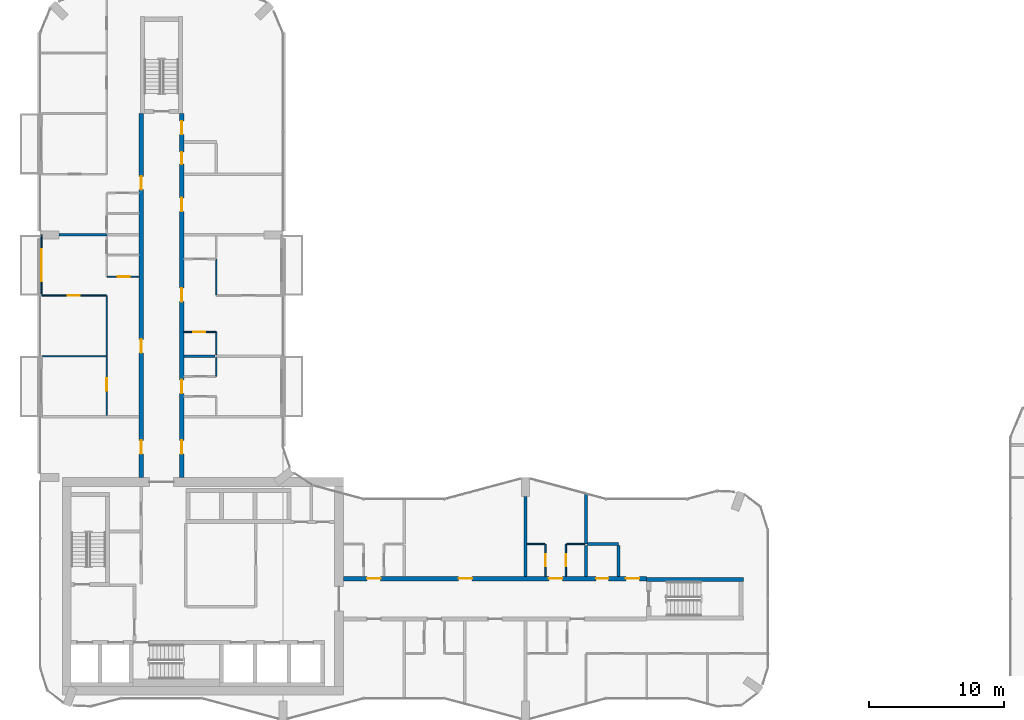
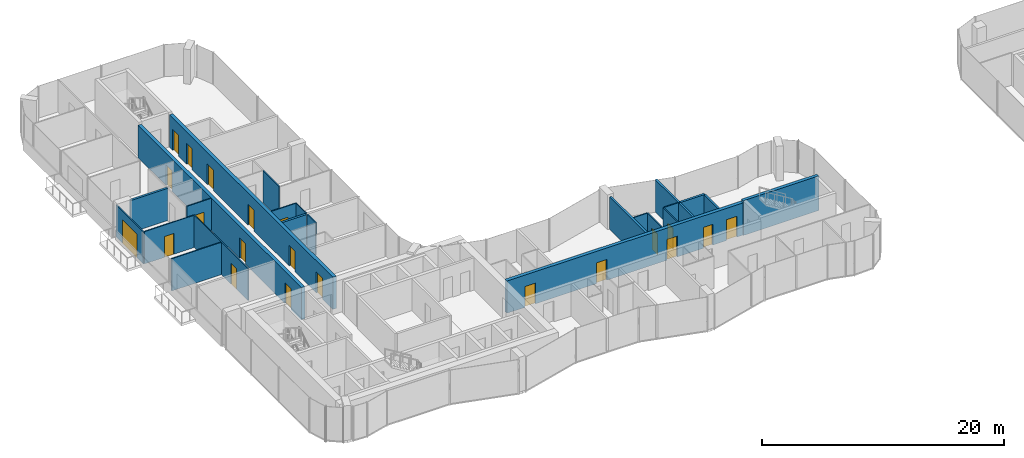
# One storey, part 15 of 22: 24 walls, 21 doors, 21 openings.
"""IFC4 building model written with IfcOpenShell, lengths in metres."""

from ifc_helpers import new_model, si_unit, direction, frame, frame_2d, origin, place, context, subcontext, project, spatial, rectangle, extrude, material, layer, layer_set, type_object, element, fill, save


model = new_model("IFC4")

# Units and contexts
model_context = context("Model", 3, precision=1e-05, world=origin(), true_north=direction((0.0, 1.0)))
body_context = subcontext(model_context, "Body", "Model", "MODEL_VIEW")
ifc_project = project(units=[si_unit("LENGTHUNIT", "METRE"), si_unit("AREAUNIT", "SQUARE_METRE"), si_unit("VOLUMEUNIT", "CUBIC_METRE"), si_unit("PLANEANGLEUNIT", "RADIAN"), si_unit("MASSUNIT", "GRAM", prefix="KILO")], contexts=[model_context])

# Site, building, storey
site_placement = place(None, origin())
site = spatial("IfcSite", under=ifc_project, at=site_placement, CompositionType="ELEMENT")
building_placement = place(site_placement, origin())
building = spatial("IfcBuilding", under=site, at=building_placement, Name="Plateau Cross Towers", CompositionType="ELEMENT")
storey_placement = place(building_placement, frame((0.0, 0.0, 116.800048828125)))
storey = spatial("IfcBuildingStorey", under=building, at=storey_placement, Name="L30", CompositionType="ELEMENT", Elevation=116.800048828125)

# Wall, opening, door
ifc_material_1 = material(Name="Aluminium framed glazing", Category="aluminium")
ifc_layer_1 = layer(ifc_material_1, 0.10009765625)
ifc_layer_set_1 = layer_set([ifc_layer_1], Name="Aluminium framed glazing")
wall_type_1 = type_object("IfcWallType", Name="Balcony screen wall 100", PredefinedType="STANDARD", material=ifc_layer_set_1)
wall_1_placement = place(storey_placement, frame((0.10009765625, 31.5, 0.0), z_axis=(0.0, 0.0, 1.0), x_axis=(0.0, 1.0, 0.0)))
wall_1 = element("IfcWall", 1, at=wall_1_placement, inside=storey, type_object=wall_type_1, Name="Balcony screen wall A-BAL-L30-02", PredefinedType="STANDARD", context=body_context, shape_type="SweptSolid", body=[
    extrude(rectangle(XDim=4.5, YDim=0.10009765625, at=frame_2d((2.25, 0.0))), origin(), (0.0, 0.0, 1.0), 3.25),
])
opening_1_placement = place(wall_1_placement, frame((1.050048828125, 0.0, 0.0)))
opening_1 = element("IfcOpeningElement", 2, at=opening_1_placement, cuts=wall_1, Name="Opening D-B24", PredefinedType="OPENING", context=body_context, shape_type="SweptSolid", body=[
    extrude(rectangle(XDim=2.39990234375, YDim=2.39990234375, at=frame_2d((1.199951171875, 1.199951171875))), frame((0.0, 0.06005859375, 0.0), z_axis=(0.0, -1.0, 0.0), x_axis=(1.0, 0.0, 0.0)), (0.0, 0.0, 1.0), 0.1201171875),
])
ifc_material_2 = material(Name="Aluminium frame, double glazing", Category="aluminium")
door_type_1 = type_object("IfcDoorType", Name="Balcony sliding door 2400", OperationType="NOTDEFINED", PredefinedType="DOOR", material=ifc_material_2)
door_1_placement = place(opening_1_placement, origin())
door_1 = element("IfcDoor", 3, at=door_1_placement, inside=storey, type_object=door_type_1, Name="Balcony door A-BAL-L30-02", OperationType="SINGLE_SWING_LEFT", OverallHeight=2.39990234375, OverallWidth=2.39990234375, PredefinedType="DOOR", context=body_context, shape_type="SweptSolid", body=[
    extrude(rectangle(XDim=2.39990234375, YDim=2.39990234375, at=frame_2d((1.199951171875, 1.199951171875))), frame((0.0, 0.02490234375, 0.0), z_axis=(0.0, -1.0, 0.0), x_axis=(1.0, 0.0, 0.0)), (0.0, 0.0, 1.0), 0.050048828125),
])
fill(opening_1, door_1)

# Wall, openings, doors
ifc_material_3 = material(Name="Concrete C60/75", Category="concrete")
ifc_layer_2 = layer(ifc_material_3, 0.324951171875)
ifc_layer_set_2 = layer_set([ifc_layer_2], Name="Concrete C60/75")
wall_type_2 = type_object("IfcWallType", Name="Corridor wall 325", PredefinedType="SHEAR", material=ifc_layer_set_2)
wall_2_placement = place(storey_placement, frame((22.5, 10.5, 0.0), z_axis=(0.0, 0.0, 1.0), x_axis=(1.0, 0.0, 0.0)))
wall_2 = element("IfcWall", 4, at=wall_2_placement, inside=storey, type_object=wall_type_2, Name="A-cw-S2@L30", PredefinedType="SHEAR", context=body_context, shape_type="SweptSolid", body=[
    extrude(rectangle(XDim=22.5, YDim=0.324951171875, at=frame_2d((11.25, 0.0))), origin(), (0.0, 0.0, 1.0), 3.25),
])
opening_2_placement = place(wall_2_placement, frame((1.75, 0.0, 0.0)))
opening_2 = element("IfcOpeningElement", 5, at=opening_2_placement, cuts=wall_2, Name="Opening 30-05", PredefinedType="OPENING", context=body_context, shape_type="SweptSolid", body=[
    extrude(rectangle(XDim=1.0, YDim=2.10009765625, at=frame_2d((0.5, 1.050048828125))), frame((0.0, 0.17236328125, 0.0), z_axis=(0.0, -1.0, 0.0), x_axis=(1.0, 0.0, 0.0)), (0.0, 0.0, 1.0), 0.344970703125),
])
opening_3_placement = place(wall_2_placement, frame((8.550048828125, 0.0, 0.0)))
opening_3 = element("IfcOpeningElement", 6, at=opening_3_placement, cuts=wall_2, Name="Opening 30-06", PredefinedType="OPENING", context=body_context, shape_type="SweptSolid", body=[
    extrude(rectangle(XDim=1.0, YDim=2.10009765625, at=frame_2d((0.5, 1.050048828125))), frame((0.0, 0.17236328125, 0.0), z_axis=(0.0, -1.0, 0.0), x_axis=(1.0, 0.0, 0.0)), (0.0, 0.0, 1.0), 0.344970703125),
])
opening_4_placement = place(wall_2_placement, frame((15.25, 0.0, 0.0)))
opening_4 = element("IfcOpeningElement", 7, at=opening_4_placement, cuts=wall_2, Name="Opening 30-07", PredefinedType="OPENING", context=body_context, shape_type="SweptSolid", body=[
    extrude(rectangle(XDim=1.0, YDim=2.10009765625, at=frame_2d((0.5, 1.050048828125))), frame((0.0, 0.17236328125, 0.0), z_axis=(0.0, -1.0, 0.0), x_axis=(1.0, 0.0, 0.0)), (0.0, 0.0, 1.0), 0.344970703125),
])
opening_5_placement = place(wall_2_placement, frame((18.75, 0.0, 0.0)))
opening_5 = element("IfcOpeningElement", 8, at=opening_5_placement, cuts=wall_2, Name="Opening 30-08", PredefinedType="OPENING", context=body_context, shape_type="SweptSolid", body=[
    extrude(rectangle(XDim=0.89990234375, YDim=2.10009765625, at=frame_2d((0.449951171875, 1.050048828125))), frame((0.0, 0.17236328125, 0.0), z_axis=(0.0, -1.0, 0.0), x_axis=(1.0, 0.0, 0.0)), (0.0, 0.0, 1.0), 0.344970703125),
])
opening_6_placement = place(wall_2_placement, frame((20.949951171875, 0.0, 0.0)))
opening_6 = element("IfcOpeningElement", 9, at=opening_6_placement, cuts=wall_2, Name="Opening 30-09", PredefinedType="OPENING", context=body_context, shape_type="SweptSolid", body=[
    extrude(rectangle(XDim=1.0, YDim=2.10009765625, at=frame_2d((0.5, 1.050048828125))), frame((0.0, 0.17236328125, 0.0), z_axis=(0.0, -1.0, 0.0), x_axis=(1.0, 0.0, 0.0)), (0.0, 0.0, 1.0), 0.344970703125),
])
ifc_material_4 = material(Name="Timber, fire-resisting leaf", Category="wood")
door_type_2 = type_object("IfcDoorType", Name="Flat entrance door 1000", OperationType="NOTDEFINED", PredefinedType="DOOR", material=ifc_material_4)
door_2_placement = place(opening_2_placement, origin())
door_2 = element("IfcDoor", 10, at=door_2_placement, inside=storey, type_object=door_type_2, Name="Door 30-05", OperationType="SINGLE_SWING_LEFT", OverallHeight=2.10009765625, OverallWidth=1.0, PredefinedType="DOOR", context=body_context, shape_type="SweptSolid", body=[
    extrude(rectangle(XDim=1.0, YDim=2.10009765625, at=frame_2d((0.5, 1.050048828125))), frame((0.0, 0.02490234375, 0.0), z_axis=(0.0, -1.0, 0.0), x_axis=(1.0, 0.0, 0.0)), (0.0, 0.0, 1.0), 0.050048828125),
])
fill(opening_2, door_2)
door_3_placement = place(opening_3_placement, origin())
door_3 = element("IfcDoor", 11, at=door_3_placement, inside=storey, type_object=door_type_2, Name="Door 30-06", OperationType="SINGLE_SWING_LEFT", OverallHeight=2.10009765625, OverallWidth=1.0, PredefinedType="DOOR", context=body_context, shape_type="SweptSolid", body=[
    extrude(rectangle(XDim=1.0, YDim=2.10009765625, at=frame_2d((0.5, 1.050048828125))), frame((0.0, 0.02490234375, 0.0), z_axis=(0.0, -1.0, 0.0), x_axis=(1.0, 0.0, 0.0)), (0.0, 0.0, 1.0), 0.050048828125),
])
fill(opening_3, door_3)
door_4_placement = place(opening_4_placement, origin())
door_4 = element("IfcDoor", 12, at=door_4_placement, inside=storey, type_object=door_type_2, Name="Door 30-07", OperationType="SINGLE_SWING_RIGHT", OverallHeight=2.10009765625, OverallWidth=1.0, PredefinedType="DOOR", context=body_context, shape_type="SweptSolid", body=[
    extrude(rectangle(XDim=1.0, YDim=2.10009765625, at=frame_2d((0.5, 1.050048828125))), frame((0.0, 0.02490234375, 0.0), z_axis=(0.0, -1.0, 0.0), x_axis=(1.0, 0.0, 0.0)), (0.0, 0.0, 1.0), 0.050048828125),
])
fill(opening_4, door_4)
door_5_placement = place(opening_6_placement, origin())
door_5 = element("IfcDoor", 13, at=door_5_placement, inside=storey, type_object=door_type_2, Name="Door 30-09", OperationType="SINGLE_SWING_RIGHT", OverallHeight=2.10009765625, OverallWidth=1.0, PredefinedType="DOOR", context=body_context, shape_type="SweptSolid", body=[
    extrude(rectangle(XDim=1.0, YDim=2.10009765625, at=frame_2d((0.5, 1.050048828125))), frame((0.0, 0.02490234375, 0.0), z_axis=(0.0, -1.0, 0.0), x_axis=(1.0, 0.0, 0.0)), (0.0, 0.0, 1.0), 0.050048828125),
])
fill(opening_6, door_5)
door_type_3 = type_object("IfcDoorType", Name="Flat floor service door 900", OperationType="NOTDEFINED", PredefinedType="DOOR", material=ifc_material_4)
door_6_placement = place(opening_5_placement, origin())
door_6 = element("IfcDoor", 14, at=door_6_placement, inside=storey, type_object=door_type_3, Name="Door 30-08", OperationType="SINGLE_SWING_RIGHT", OverallHeight=2.10009765625, OverallWidth=0.89990234375, PredefinedType="DOOR", context=body_context, shape_type="SweptSolid", body=[
    extrude(rectangle(XDim=0.89990234375, YDim=2.10009765625, at=frame_2d((0.449951171875, 1.050048828125))), frame((0.0, 0.02490234375, 0.0), z_axis=(0.0, -1.0, 0.0), x_axis=(1.0, 0.0, 0.0)), (0.0, 0.0, 1.0), 0.050048828125),
])
fill(opening_5, door_6)

wall_3_placement = place(storey_placement, frame((7.5, 18.0, 0.0), z_axis=(0.0, 0.0, 1.0), x_axis=(0.0, 1.0, 0.0)))
wall_3 = element("IfcWall", 15, at=wall_3_placement, inside=storey, type_object=wall_type_2, Name="A-cw-W1@L30", PredefinedType="SHEAR", context=body_context, shape_type="SweptSolid", body=[
    extrude(rectangle(XDim=27.0, YDim=0.324951171875, at=frame_2d((13.5, 0.0))), origin(), (0.0, 0.0, 1.0), 3.25),
])
opening_7_placement = place(wall_3_placement, frame((1.75, 0.0, 0.0)))
opening_7 = element("IfcOpeningElement", 16, at=opening_7_placement, cuts=wall_3, Name="Opening 30-10", PredefinedType="OPENING", context=body_context, shape_type="SweptSolid", body=[
    extrude(rectangle(XDim=1.0, YDim=2.10009765625, at=frame_2d((0.5, 1.050048828125))), frame((0.0, 0.17236328125, 0.0), z_axis=(0.0, -1.0, 0.0), x_axis=(1.0, 0.0, 0.0)), (0.0, 0.0, 1.0), 0.344970703125),
])
opening_8_placement = place(wall_3_placement, frame((9.25, 0.0, 0.0)))
opening_8 = element("IfcOpeningElement", 17, at=opening_8_placement, cuts=wall_3, Name="Opening 30-11", PredefinedType="OPENING", context=body_context, shape_type="SweptSolid", body=[
    extrude(rectangle(XDim=1.0, YDim=2.10009765625, at=frame_2d((0.5, 1.050048828125))), frame((0.0, 0.17236328125, 0.0), z_axis=(0.0, -1.0, 0.0), x_axis=(1.0, 0.0, 0.0)), (0.0, 0.0, 1.0), 0.344970703125),
])
opening_9_placement = place(wall_3_placement, frame((21.35009765625, 0.0, 0.0)))
opening_9 = element("IfcOpeningElement", 18, at=opening_9_placement, cuts=wall_3, Name="Opening 30-12", PredefinedType="OPENING", context=body_context, shape_type="SweptSolid", body=[
    extrude(rectangle(XDim=1.0, YDim=2.10009765625, at=frame_2d((0.5, 1.050048828125))), frame((0.0, 0.17236328125, 0.0), z_axis=(0.0, -1.0, 0.0), x_axis=(1.0, 0.0, 0.0)), (0.0, 0.0, 1.0), 0.344970703125),
])
door_7_placement = place(opening_7_placement, origin())
door_7 = element("IfcDoor", 19, at=door_7_placement, inside=storey, type_object=door_type_2, Name="Door 30-10", OperationType="SINGLE_SWING_LEFT", OverallHeight=2.10009765625, OverallWidth=1.0, PredefinedType="DOOR", context=body_context, shape_type="SweptSolid", body=[
    extrude(rectangle(XDim=1.0, YDim=2.10009765625, at=frame_2d((0.5, 1.050048828125))), frame((0.0, 0.02490234375, 0.0), z_axis=(0.0, -1.0, 0.0), x_axis=(1.0, 0.0, 0.0)), (0.0, 0.0, 1.0), 0.050048828125),
])
fill(opening_7, door_7)
door_8_placement = place(opening_8_placement, origin())
door_8 = element("IfcDoor", 20, at=door_8_placement, inside=storey, type_object=door_type_2, Name="Door 30-11", OperationType="SINGLE_SWING_LEFT", OverallHeight=2.10009765625, OverallWidth=1.0, PredefinedType="DOOR", context=body_context, shape_type="SweptSolid", body=[
    extrude(rectangle(XDim=1.0, YDim=2.10009765625, at=frame_2d((0.5, 1.050048828125))), frame((0.0, 0.02490234375, 0.0), z_axis=(0.0, -1.0, 0.0), x_axis=(1.0, 0.0, 0.0)), (0.0, 0.0, 1.0), 0.050048828125),
])
fill(opening_8, door_8)
door_9_placement = place(opening_9_placement, origin())
door_9 = element("IfcDoor", 21, at=door_9_placement, inside=storey, type_object=door_type_2, Name="Door 30-12", OperationType="SINGLE_SWING_RIGHT", OverallHeight=2.10009765625, OverallWidth=1.0, PredefinedType="DOOR", context=body_context, shape_type="SweptSolid", body=[
    extrude(rectangle(XDim=1.0, YDim=2.10009765625, at=frame_2d((0.5, 1.050048828125))), frame((0.0, 0.02490234375, 0.0), z_axis=(0.0, -1.0, 0.0), x_axis=(1.0, 0.0, 0.0)), (0.0, 0.0, 1.0), 0.050048828125),
])
fill(opening_9, door_9)

wall_4_placement = place(storey_placement, frame((10.5, 18.0, 0.0), z_axis=(0.0, 0.0, 1.0), x_axis=(0.0, 1.0, 0.0)))
wall_4 = element("IfcWall", 22, at=wall_4_placement, inside=storey, type_object=wall_type_2, Name="A-cw-W2@L30", PredefinedType="SHEAR", context=body_context, shape_type="SweptSolid", body=[
    extrude(rectangle(XDim=27.0, YDim=0.324951171875, at=frame_2d((13.5, 0.0))), origin(), (0.0, 0.0, 1.0), 3.25),
])
opening_10_placement = place(wall_4_placement, frame((1.75, 0.0, 0.0)))
opening_10 = element("IfcOpeningElement", 23, at=opening_10_placement, cuts=wall_4, Name="Opening 30-13", PredefinedType="OPENING", context=body_context, shape_type="SweptSolid", body=[
    extrude(rectangle(XDim=1.0, YDim=2.10009765625, at=frame_2d((0.5, 1.050048828125))), frame((0.0, 0.17236328125, 0.0), z_axis=(0.0, -1.0, 0.0), x_axis=(1.0, 0.0, 0.0)), (0.0, 0.0, 1.0), 0.344970703125),
])
opening_11_placement = place(wall_4_placement, frame((6.25, 0.0, 0.0)))
opening_11 = element("IfcOpeningElement", 24, at=opening_11_placement, cuts=wall_4, Name="Opening 30-14", PredefinedType="OPENING", context=body_context, shape_type="SweptSolid", body=[
    extrude(rectangle(XDim=1.0, YDim=2.10009765625, at=frame_2d((0.5, 1.050048828125))), frame((0.0, 0.17236328125, 0.0), z_axis=(0.0, -1.0, 0.0), x_axis=(1.0, 0.0, 0.0)), (0.0, 0.0, 1.0), 0.344970703125),
])
opening_12_placement = place(wall_4_placement, frame((13.050048828125, 0.0, 0.0)))
opening_12 = element("IfcOpeningElement", 25, at=opening_12_placement, cuts=wall_4, Name="Opening 30-15", PredefinedType="OPENING", context=body_context, shape_type="SweptSolid", body=[
    extrude(rectangle(XDim=1.0, YDim=2.10009765625, at=frame_2d((0.5, 1.050048828125))), frame((0.0, 0.17236328125, 0.0), z_axis=(0.0, -1.0, 0.0), x_axis=(1.0, 0.0, 0.0)), (0.0, 0.0, 1.0), 0.344970703125),
])
opening_13_placement = place(wall_4_placement, frame((19.75, 0.0, 0.0)))
opening_13 = element("IfcOpeningElement", 26, at=opening_13_placement, cuts=wall_4, Name="Opening 30-16", PredefinedType="OPENING", context=body_context, shape_type="SweptSolid", body=[
    extrude(rectangle(XDim=1.0, YDim=2.10009765625, at=frame_2d((0.5, 1.050048828125))), frame((0.0, 0.17236328125, 0.0), z_axis=(0.0, -1.0, 0.0), x_axis=(1.0, 0.0, 0.0)), (0.0, 0.0, 1.0), 0.344970703125),
])
opening_14_placement = place(wall_4_placement, frame((23.25, 0.0, 0.0)))
opening_14 = element("IfcOpeningElement", 27, at=opening_14_placement, cuts=wall_4, Name="Opening 30-17", PredefinedType="OPENING", context=body_context, shape_type="SweptSolid", body=[
    extrude(rectangle(XDim=0.89990234375, YDim=2.10009765625, at=frame_2d((0.449951171875, 1.050048828125))), frame((0.0, 0.17236328125, 0.0), z_axis=(0.0, -1.0, 0.0), x_axis=(1.0, 0.0, 0.0)), (0.0, 0.0, 1.0), 0.344970703125),
])
opening_15_placement = place(wall_4_placement, frame((25.449951171875, 0.0, 0.0)))
opening_15 = element("IfcOpeningElement", 28, at=opening_15_placement, cuts=wall_4, Name="Opening 30-18", PredefinedType="OPENING", context=body_context, shape_type="SweptSolid", body=[
    extrude(rectangle(XDim=1.0, YDim=2.10009765625, at=frame_2d((0.5, 1.050048828125))), frame((0.0, 0.17236328125, 0.0), z_axis=(0.0, -1.0, 0.0), x_axis=(1.0, 0.0, 0.0)), (0.0, 0.0, 1.0), 0.344970703125),
])
door_10_placement = place(opening_10_placement, origin())
door_10 = element("IfcDoor", 29, at=door_10_placement, inside=storey, type_object=door_type_2, Name="Door 30-13", OperationType="SINGLE_SWING_LEFT", OverallHeight=2.10009765625, OverallWidth=1.0, PredefinedType="DOOR", context=body_context, shape_type="SweptSolid", body=[
    extrude(rectangle(XDim=1.0, YDim=2.10009765625, at=frame_2d((0.5, 1.050048828125))), frame((0.0, 0.02490234375, 0.0), z_axis=(0.0, -1.0, 0.0), x_axis=(1.0, 0.0, 0.0)), (0.0, 0.0, 1.0), 0.050048828125),
])
fill(opening_10, door_10)
door_11_placement = place(opening_11_placement, origin())
door_11 = element("IfcDoor", 30, at=door_11_placement, inside=storey, type_object=door_type_2, Name="Door 30-14", OperationType="SINGLE_SWING_LEFT", OverallHeight=2.10009765625, OverallWidth=1.0, PredefinedType="DOOR", context=body_context, shape_type="SweptSolid", body=[
    extrude(rectangle(XDim=1.0, YDim=2.10009765625, at=frame_2d((0.5, 1.050048828125))), frame((0.0, 0.02490234375, 0.0), z_axis=(0.0, -1.0, 0.0), x_axis=(1.0, 0.0, 0.0)), (0.0, 0.0, 1.0), 0.050048828125),
])
fill(opening_11, door_11)
door_12_placement = place(opening_12_placement, origin())
door_12 = element("IfcDoor", 31, at=door_12_placement, inside=storey, type_object=door_type_2, Name="Door 30-15", OperationType="SINGLE_SWING_RIGHT", OverallHeight=2.10009765625, OverallWidth=1.0, PredefinedType="DOOR", context=body_context, shape_type="SweptSolid", body=[
    extrude(rectangle(XDim=1.0, YDim=2.10009765625, at=frame_2d((0.5, 1.050048828125))), frame((0.0, 0.02490234375, 0.0), z_axis=(0.0, -1.0, 0.0), x_axis=(1.0, 0.0, 0.0)), (0.0, 0.0, 1.0), 0.050048828125),
])
fill(opening_12, door_12)
door_13_placement = place(opening_13_placement, origin())
door_13 = element("IfcDoor", 32, at=door_13_placement, inside=storey, type_object=door_type_2, Name="Door 30-16", OperationType="SINGLE_SWING_RIGHT", OverallHeight=2.10009765625, OverallWidth=1.0, PredefinedType="DOOR", context=body_context, shape_type="SweptSolid", body=[
    extrude(rectangle(XDim=1.0, YDim=2.10009765625, at=frame_2d((0.5, 1.050048828125))), frame((0.0, 0.02490234375, 0.0), z_axis=(0.0, -1.0, 0.0), x_axis=(1.0, 0.0, 0.0)), (0.0, 0.0, 1.0), 0.050048828125),
])
fill(opening_13, door_13)
door_14_placement = place(opening_15_placement, origin())
door_14 = element("IfcDoor", 33, at=door_14_placement, inside=storey, type_object=door_type_2, Name="Door 30-18", OperationType="SINGLE_SWING_RIGHT", OverallHeight=2.10009765625, OverallWidth=1.0, PredefinedType="DOOR", context=body_context, shape_type="SweptSolid", body=[
    extrude(rectangle(XDim=1.0, YDim=2.10009765625, at=frame_2d((0.5, 1.050048828125))), frame((0.0, 0.02490234375, 0.0), z_axis=(0.0, -1.0, 0.0), x_axis=(1.0, 0.0, 0.0)), (0.0, 0.0, 1.0), 0.050048828125),
])
fill(opening_15, door_14)
door_15_placement = place(opening_14_placement, origin())
door_15 = element("IfcDoor", 34, at=door_15_placement, inside=storey, type_object=door_type_3, Name="Door 30-17", OperationType="SINGLE_SWING_RIGHT", OverallHeight=2.10009765625, OverallWidth=0.89990234375, PredefinedType="DOOR", context=body_context, shape_type="SweptSolid", body=[
    extrude(rectangle(XDim=0.89990234375, YDim=2.10009765625, at=frame_2d((0.449951171875, 1.050048828125))), frame((0.0, 0.02490234375, 0.0), z_axis=(0.0, -1.0, 0.0), x_axis=(1.0, 0.0, 0.0)), (0.0, 0.0, 1.0), 0.050048828125),
])
fill(opening_14, door_15)

# Walls
ifc_material_5 = material(Name="Gypsum board on steel studs", Category="steel")
ifc_layer_3 = layer(ifc_material_5, 0.10009765625)
ifc_layer_set_3 = layer_set([ifc_layer_3], Name="Gypsum board on steel studs")
wall_type_3 = type_object("IfcWallType", Name="Flat partition 100", PredefinedType="PARTITIONING", material=ifc_layer_set_3)
for number, where, z_axis, x_axis, name in (
    (35, (37.449951171875, 13.0625, 0.0), (0.0, 0.0, 1.0), (-1.0, 0.0, 0.0), "Partition wall"),
    (36, (40.39990234375, 13.0625, 0.0), (0.0, 0.0, 1.0), (-1.0, 0.0, 0.0), "Partition wall"),
):
    element("IfcWall", number, at=place(storey_placement, frame(where, z_axis=z_axis, x_axis=x_axis)), inside=storey, type_object=wall_type_3, Name=name, PredefinedType="PARTITIONING", context=body_context, shape_type="SweptSolid", body=[
        extrude(rectangle(XDim=1.349853515625, YDim=0.10009765625, at=frame_2d((0.6748046875, 0.0))), origin(), (0.0, 0.0, 1.0), 3.25),
    ])
wall_5_placement = place(storey_placement, frame((4.887451171875, 27.0, 0.0), z_axis=(0.0, 0.0, 1.0), x_axis=(-1.0, 0.0, 0.0)))
element("IfcWall", 37, at=wall_5_placement, inside=storey, type_object=wall_type_3, Name="Partition wall", PredefinedType="PARTITIONING", context=body_context, shape_type="SweptSolid", body=[
    extrude(rectangle(XDim=4.737548828125, YDim=0.10009765625, at=frame_2d((2.36865234375, 0.0))), origin(), (0.0, 0.0, 1.0), 3.25),
])

# Wall, opening, door
wall_6_placement = place(storey_placement, frame((13.012451171875, 28.800048828125, 0.0), z_axis=(0.0, 0.0, 1.0), x_axis=(-1.0, 0.0, 0.0)))
wall_6 = element("IfcWall", 38, at=wall_6_placement, inside=storey, type_object=wall_type_3, Name="Partition wall", PredefinedType="PARTITIONING", context=body_context, shape_type="SweptSolid", body=[
    extrude(rectangle(XDim=2.349853515625, YDim=0.10009765625, at=frame_2d((1.1748046875, 0.0))), origin(), (0.0, 0.0, 1.0), 3.25),
])
opening_16_placement = place(wall_6_placement, frame((0.75, 0.0, 0.0)))
opening_16 = element("IfcOpeningElement", 39, at=opening_16_placement, cuts=wall_6, Name="Opening 30-41", PredefinedType="OPENING", context=body_context, shape_type="SweptSolid", body=[
    extrude(rectangle(XDim=0.89990234375, YDim=2.10009765625, at=frame_2d((0.449951171875, 1.050048828125))), frame((0.0, 0.06005859375, 0.0), z_axis=(0.0, -1.0, 0.0), x_axis=(1.0, 0.0, 0.0)), (0.0, 0.0, 1.0), 0.1201171875),
])
ifc_material_6 = material(Name="Timber leaf", Category="wood")
door_type_4 = type_object("IfcDoorType", Name="Flat room door 900", OperationType="NOTDEFINED", PredefinedType="DOOR", material=ifc_material_6)
door_16_placement = place(opening_16_placement, origin())
door_16 = element("IfcDoor", 40, at=door_16_placement, inside=storey, type_object=door_type_4, Name="Door 30-41", OperationType="SINGLE_SWING_RIGHT", OverallHeight=2.10009765625, OverallWidth=0.89990234375, PredefinedType="DOOR", context=body_context, shape_type="SweptSolid", body=[
    extrude(rectangle(XDim=0.89990234375, YDim=2.10009765625, at=frame_2d((0.449951171875, 1.050048828125))), frame((0.0, 0.02490234375, 0.0), z_axis=(0.0, -1.0, 0.0), x_axis=(1.0, 0.0, 0.0)), (0.0, 0.0, 1.0), 0.050048828125),
])
fill(opening_16, door_16)

wall_7_placement = place(storey_placement, frame((4.887451171875, 31.5, 0.0), z_axis=(0.0, 0.0, 1.0), x_axis=(-1.0, 0.0, 0.0)))
wall_7 = element("IfcWall", 41, at=wall_7_placement, inside=storey, type_object=wall_type_3, Name="Partition wall", PredefinedType="PARTITIONING", context=body_context, shape_type="SweptSolid", body=[
    extrude(rectangle(XDim=4.737548828125, YDim=0.10009765625, at=frame_2d((2.36865234375, 0.0))), origin(), (0.0, 0.0, 1.0), 3.25),
])
opening_17_placement = place(wall_7_placement, frame((1.949951171875, 0.0, 0.0)))
opening_17 = element("IfcOpeningElement", 42, at=opening_17_placement, cuts=wall_7, Name="Opening 30-33", PredefinedType="OPENING", context=body_context, shape_type="SweptSolid", body=[
    extrude(rectangle(XDim=0.89990234375, YDim=2.10009765625, at=frame_2d((0.449951171875, 1.050048828125))), frame((0.0, 0.06005859375, 0.0), z_axis=(0.0, -1.0, 0.0), x_axis=(1.0, 0.0, 0.0)), (0.0, 0.0, 1.0), 0.1201171875),
])
door_17_placement = place(opening_17_placement, origin())
door_17 = element("IfcDoor", 43, at=door_17_placement, inside=storey, type_object=door_type_4, Name="Door 30-33", OperationType="SINGLE_SWING_RIGHT", OverallHeight=2.10009765625, OverallWidth=0.89990234375, PredefinedType="DOOR", context=body_context, shape_type="SweptSolid", body=[
    extrude(rectangle(XDim=0.89990234375, YDim=2.10009765625, at=frame_2d((0.449951171875, 1.050048828125))), frame((0.0, 0.02490234375, 0.0), z_axis=(0.0, -1.0, 0.0), x_axis=(1.0, 0.0, 0.0)), (0.0, 0.0, 1.0), 0.050048828125),
])
fill(opening_17, door_17)

wall_8_placement = place(storey_placement, frame((4.987548828125, 32.89990234375, 0.0), z_axis=(0.0, 0.0, 1.0), x_axis=(1.0, 0.0, 0.0)))
wall_8 = element("IfcWall", 44, at=wall_8_placement, inside=storey, type_object=wall_type_3, Name="Partition wall", PredefinedType="PARTITIONING", context=body_context, shape_type="SweptSolid", body=[
    extrude(rectangle(XDim=2.349853515625, YDim=0.10009765625, at=frame_2d((1.1748046875, 0.0))), origin(), (0.0, 0.0, 1.0), 3.25),
])
opening_18_placement = place(wall_8_placement, frame((0.75, 0.0, 0.0)))
opening_18 = element("IfcOpeningElement", 45, at=opening_18_placement, cuts=wall_8, Name="Opening 30-30", PredefinedType="OPENING", context=body_context, shape_type="SweptSolid", body=[
    extrude(rectangle(XDim=0.89990234375, YDim=2.10009765625, at=frame_2d((0.449951171875, 1.050048828125))), frame((0.0, 0.06005859375, 0.0), z_axis=(0.0, -1.0, 0.0), x_axis=(1.0, 0.0, 0.0)), (0.0, 0.0, 1.0), 0.1201171875),
])
door_18_placement = place(opening_18_placement, origin())
door_18 = element("IfcDoor", 46, at=door_18_placement, inside=storey, type_object=door_type_4, Name="Door 30-30", OperationType="SINGLE_SWING_RIGHT", OverallHeight=2.10009765625, OverallWidth=0.89990234375, PredefinedType="DOOR", context=body_context, shape_type="SweptSolid", body=[
    extrude(rectangle(XDim=0.89990234375, YDim=2.10009765625, at=frame_2d((0.449951171875, 1.050048828125))), frame((0.0, 0.02490234375, 0.0), z_axis=(0.0, -1.0, 0.0), x_axis=(1.0, 0.0, 0.0)), (0.0, 0.0, 1.0), 0.050048828125),
])
fill(opening_18, door_18)

wall_9_placement = place(storey_placement, frame((4.9375, 22.60009765625, 0.0), z_axis=(0.0, 0.0, 1.0), x_axis=(0.0, 1.0, 0.0)))
wall_9 = element("IfcWall", 47, at=wall_9_placement, inside=storey, type_object=wall_type_3, Name="Partition wall", PredefinedType="PARTITIONING", context=body_context, shape_type="SweptSolid", body=[
    extrude(rectangle(XDim=8.89990234375, YDim=0.10009765625, at=frame_2d((4.449951171875, 0.0))), origin(), (0.0, 0.0, 1.0), 3.25),
])
opening_19_placement = place(wall_9_placement, frame((1.85009765625, 0.0, 0.0)))
opening_19 = element("IfcOpeningElement", 48, at=opening_19_placement, cuts=wall_9, Name="Opening 30-32", PredefinedType="OPENING", context=body_context, shape_type="SweptSolid", body=[
    extrude(rectangle(XDim=0.89990234375, YDim=2.10009765625, at=frame_2d((0.449951171875, 1.050048828125))), frame((0.0, 0.06005859375, 0.0), z_axis=(0.0, -1.0, 0.0), x_axis=(1.0, 0.0, 0.0)), (0.0, 0.0, 1.0), 0.1201171875),
])
door_19_placement = place(opening_19_placement, origin())
door_19 = element("IfcDoor", 49, at=door_19_placement, inside=storey, type_object=door_type_4, Name="Door 30-32", OperationType="SINGLE_SWING_LEFT", OverallHeight=2.10009765625, OverallWidth=0.89990234375, PredefinedType="DOOR", context=body_context, shape_type="SweptSolid", body=[
    extrude(rectangle(XDim=0.89990234375, YDim=2.10009765625, at=frame_2d((0.449951171875, 1.050048828125))), frame((0.0, 0.02490234375, 0.0), z_axis=(0.0, -1.0, 0.0), x_axis=(1.0, 0.0, 0.0)), (0.0, 0.0, 1.0), 0.050048828125),
])
fill(opening_19, door_19)

# Walls
wall_10_placement = place(storey_placement, frame((13.0625, 34.199951171875, 0.0), z_axis=(0.0, 0.0, 1.0), x_axis=(0.0, -1.0, 0.0)))
element("IfcWall", 50, at=wall_10_placement, inside=storey, type_object=wall_type_3, Name="Partition wall", PredefinedType="PARTITIONING", context=body_context, shape_type="SweptSolid", body=[
    extrude(rectangle(XDim=2.64990234375, YDim=0.10009765625, at=frame_2d((1.324951171875, 0.0))), origin(), (0.0, 0.0, 1.0), 3.25),
])
wall_11_placement = place(storey_placement, frame((13.0625, 25.5, 0.0), z_axis=(0.0, 0.0, 1.0), x_axis=(0.0, 1.0, 0.0)))
element("IfcWall", 51, at=wall_11_placement, inside=storey, type_object=wall_type_3, Name="Partition wall", PredefinedType="PARTITIONING", context=body_context, shape_type="SweptSolid", body=[
    extrude(rectangle(XDim=1.39990234375, YDim=0.10009765625, at=frame_2d((0.699951171875, 0.0))), origin(), (0.0, 0.0, 1.0), 3.25),
])
wall_12_placement = place(storey_placement, frame((13.0625, 27.10009765625, 0.0), z_axis=(0.0, 0.0, 1.0), x_axis=(0.0, 1.0, 0.0)))
element("IfcWall", 52, at=wall_12_placement, inside=storey, type_object=wall_type_3, Name="Partition wall", PredefinedType="PARTITIONING", context=body_context, shape_type="SweptSolid", body=[
    extrude(rectangle(XDim=1.699951171875, YDim=0.10009765625, at=frame_2d((0.85009765625, 0.0))), origin(), (0.0, 0.0, 1.0), 3.25),
])

# Wall, opening, door
wall_13_placement = place(storey_placement, frame((37.5, 10.66259765625, 0.0), z_axis=(0.0, 0.0, 1.0), x_axis=(0.0, 1.0, 0.0)))
wall_13 = element("IfcWall", 53, at=wall_13_placement, inside=storey, type_object=wall_type_3, Name="Partition wall", PredefinedType="PARTITIONING", context=body_context, shape_type="SweptSolid", body=[
    extrude(rectangle(XDim=2.39990234375, YDim=0.10009765625, at=frame_2d((1.199951171875, 0.0))), origin(), (0.0, 0.0, 1.0), 3.25),
])
opening_20_placement = place(wall_13_placement, frame((0.75, 0.0, 0.0)))
opening_20 = element("IfcOpeningElement", 54, at=opening_20_placement, cuts=wall_13, Name="Opening 30-28", PredefinedType="OPENING", context=body_context, shape_type="SweptSolid", body=[
    extrude(rectangle(XDim=0.89990234375, YDim=2.10009765625, at=frame_2d((0.449951171875, 1.050048828125))), frame((0.0, 0.06005859375, 0.0), z_axis=(0.0, -1.0, 0.0), x_axis=(1.0, 0.0, 0.0)), (0.0, 0.0, 1.0), 0.1201171875),
])
door_20_placement = place(opening_20_placement, origin())
door_20 = element("IfcDoor", 55, at=door_20_placement, inside=storey, type_object=door_type_4, Name="Door 30-28", OperationType="SINGLE_SWING_LEFT", OverallHeight=2.10009765625, OverallWidth=0.89990234375, PredefinedType="DOOR", context=body_context, shape_type="SweptSolid", body=[
    extrude(rectangle(XDim=0.89990234375, YDim=2.10009765625, at=frame_2d((0.449951171875, 1.050048828125))), frame((0.0, 0.02490234375, 0.0), z_axis=(0.0, -1.0, 0.0), x_axis=(1.0, 0.0, 0.0)), (0.0, 0.0, 1.0), 0.050048828125),
])
fill(opening_20, door_20)

wall_14_placement = place(storey_placement, frame((39.0, 13.0625, 0.0), z_axis=(0.0, 0.0, 1.0), x_axis=(0.0, -1.0, 0.0)))
wall_14 = element("IfcWall", 56, at=wall_14_placement, inside=storey, type_object=wall_type_3, Name="Partition wall", PredefinedType="PARTITIONING", context=body_context, shape_type="SweptSolid", body=[
    extrude(rectangle(XDim=2.39990234375, YDim=0.10009765625, at=frame_2d((1.199951171875, 0.0))), origin(), (0.0, 0.0, 1.0), 3.25),
])
opening_21_placement = place(wall_14_placement, frame((0.75, 0.0, 0.0)))
opening_21 = element("IfcOpeningElement", 57, at=opening_21_placement, cuts=wall_14, Name="Opening 30-29", PredefinedType="OPENING", context=body_context, shape_type="SweptSolid", body=[
    extrude(rectangle(XDim=0.89990234375, YDim=2.10009765625, at=frame_2d((0.449951171875, 1.050048828125))), frame((0.0, 0.06005859375, 0.0), z_axis=(0.0, -1.0, 0.0), x_axis=(1.0, 0.0, 0.0)), (0.0, 0.0, 1.0), 0.1201171875),
])
door_21_placement = place(opening_21_placement, origin())
door_21 = element("IfcDoor", 58, at=door_21_placement, inside=storey, type_object=door_type_4, Name="Door 30-29", OperationType="SINGLE_SWING_LEFT", OverallHeight=2.10009765625, OverallWidth=0.89990234375, PredefinedType="DOOR", context=body_context, shape_type="SweptSolid", body=[
    extrude(rectangle(XDim=0.89990234375, YDim=2.10009765625, at=frame_2d((0.449951171875, 1.050048828125))), frame((0.0, 0.02490234375, 0.0), z_axis=(0.0, -1.0, 0.0), x_axis=(1.0, 0.0, 0.0)), (0.0, 0.0, 1.0), 0.050048828125),
])
fill(opening_21, door_21)

# Walls
ifc_material_7 = material(Name="Gypsum board on steel studs, two layers each side", Category="steel")
ifc_layer_4 = layer(ifc_material_7, 0.199951171875)
ifc_layer_set_4 = layer_set([ifc_layer_4], Name="Gypsum board on steel studs, two layers each side")
wall_type_4 = type_object("IfcWallType", Name="Flat party wall 200", PredefinedType="PARTITIONING", material=ifc_layer_set_4)
for number, where, z_axis, x_axis, name in (
    (59, (42.89990234375, 13.0625, 0.0), (0.0, 0.0, 1.0), (-1.0, 0.0, 0.0), "Party wall"),
    (60, (12.96240234375, 27.0, 0.0), (0.0, 0.0, 1.0), (-1.0, 0.0, 0.0), "Party wall"),
):
    element("IfcWall", number, at=place(storey_placement, frame(where, z_axis=z_axis, x_axis=x_axis)), inside=storey, type_object=wall_type_4, Name=name, PredefinedType="PARTITIONING", context=body_context, shape_type="SweptSolid", body=[
        extrude(rectangle(XDim=2.2998046875, YDim=0.199951171875, at=frame_2d((1.14990234375, 0.0))), origin(), (0.0, 0.0, 1.0), 3.25),
    ])
wall_15_placement = place(storey_placement, frame((1.39990234375, 36.0, 0.0), z_axis=(0.0, 0.0, 1.0), x_axis=(1.0, 0.0, 0.0)))
element("IfcWall", 61, at=wall_15_placement, inside=storey, type_object=wall_type_4, Name="Party wall", PredefinedType="PARTITIONING", context=body_context, shape_type="SweptSolid", body=[
    extrude(rectangle(XDim=3.53759765625, YDim=0.199951171875, at=frame_2d((1.768798828125, 0.0))), origin(), (0.0, 0.0, 1.0), 3.25),
])
wall_16_placement = place(storey_placement, frame((36.0, 10.66259765625, 0.0), z_axis=(0.0, 0.0, 1.0), x_axis=(0.0, 1.0, 0.0)))
element("IfcWall", 62, at=wall_16_placement, inside=storey, type_object=wall_type_4, Name="Party wall", PredefinedType="PARTITIONING", context=body_context, shape_type="SweptSolid", body=[
    extrude(rectangle(XDim=5.9375, YDim=0.199951171875, at=frame_2d((2.96875, 0.0))), origin(), (0.0, 0.0, 1.0), 3.25),
])
wall_17_placement = place(storey_placement, frame((40.5, 16.877685546875, 0.0), z_axis=(0.0, 0.0, 1.0), x_axis=(0.0, -1.0, 0.0)))
element("IfcWall", 63, at=wall_17_placement, inside=storey, type_object=wall_type_4, Name="Party wall", PredefinedType="PARTITIONING", context=body_context, shape_type="SweptSolid", body=[
    extrude(rectangle(XDim=3.815185546875, YDim=0.199951171875, at=frame_2d((1.90771484375, 0.0))), origin(), (0.0, 0.0, 1.0), 3.25),
])
for number, where, z_axis, x_axis, name in (
    (64, (40.5, 10.66259765625, 0.0), (0.0, 0.0, 1.0), (0.0, 1.0, 0.0), "Party wall"),
    (65, (42.89990234375, 10.66259765625, 0.0), (0.0, 0.0, 1.0), (0.0, 1.0, 0.0), "Party wall"),
):
    element("IfcWall", number, at=place(storey_placement, frame(where, z_axis=z_axis, x_axis=x_axis)), inside=storey, type_object=wall_type_4, Name=name, PredefinedType="PARTITIONING", context=body_context, shape_type="SweptSolid", body=[
        extrude(rectangle(XDim=2.2998046875, YDim=0.199951171875, at=frame_2d((1.14990234375, 0.0))), origin(), (0.0, 0.0, 1.0), 3.25),
    ])
ifc_layer_5 = layer(ifc_material_3, 0.300048828125)
ifc_layer_set_5 = layer_set([ifc_layer_5], Name="Concrete C60/75")
wall_type_5 = type_object("IfcWallType", Name="Stair tower wall 300", PredefinedType="SHEAR", material=ifc_layer_set_5)
wall_18_placement = place(storey_placement, frame((45.0, 10.425048828125, 0.0), z_axis=(0.0, 0.0, 1.0), x_axis=(1.0, 0.0, 0.0)))
element("IfcWall", 66, at=wall_18_placement, inside=storey, type_object=wall_type_5, Name="A-end-E-N@L30", PredefinedType="SHEAR", context=body_context, shape_type="SweptSolid", body=[
    extrude(rectangle(XDim=7.199951171875, YDim=0.300048828125, at=frame_2d((3.60009765625, 0.0))), origin(), (0.0, 0.0, 1.0), 3.5),
])

save(model, "model.ifc")
